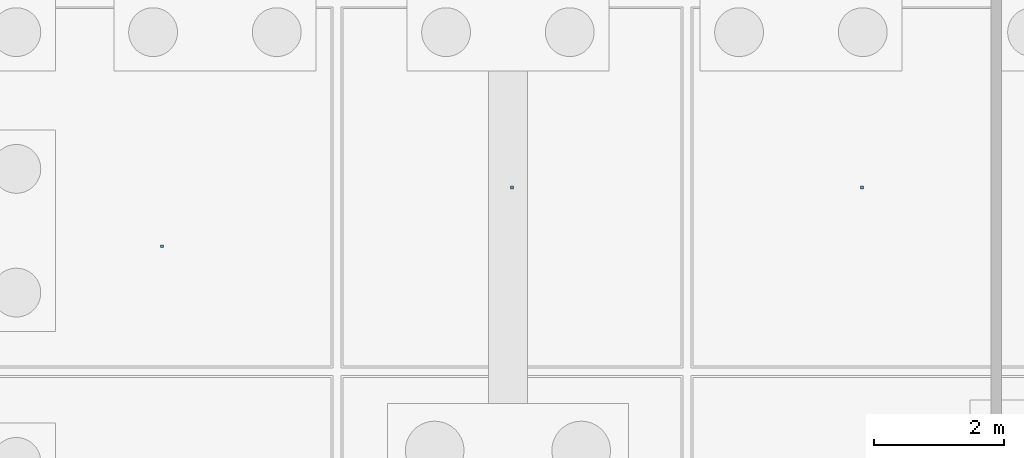
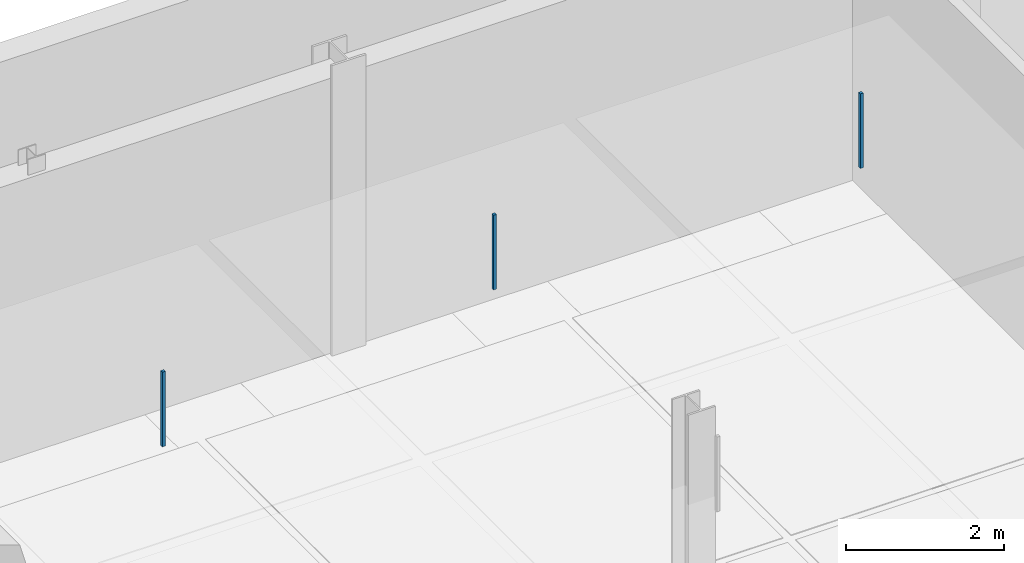
# One storey, part 32 of 48: 3 discrete accessories.
"""IFC4 building model written with IfcOpenShell, lengths in metres."""

import ifcopenshell
import ifcopenshell.guid

model = None  # the IFC model being written
_history = None  # IfcOwnerHistory: only IFC2X3 demands one
_inside = {}  # id of a spatial element -> (the spatial element, [elements in it])
_under = {}  # id of a project, library or spatial element -> (it, [spatial elements below it])
_declared = {}  # id of a project -> (the project, [libraries it declares])
_typed = {}  # id of a type object -> (the type object, [elements of that type])
_made_of = {}  # id of a material, layer set ... -> (it, [elements and type objects made of it])


def new_model(schema):
    """Start an empty IFC model of exactly this schema.

    Asked for "IFC4X3", IfcOpenShell would pick the latest addendum, in which some entities
    have other attributes; the version numbers below select the first issue.
    IFC2X3 requires an IfcOwnerHistory on every rooted entity: one is made here for all.
    """
    global model, _history
    if schema == "IFC4X3":
        model = ifcopenshell.file(schema_version=(4, 3, 0, 0))
    else:
        model = ifcopenshell.file(schema=schema)
    _inside.clear()
    _under.clear()
    _declared.clear()
    _typed.clear()
    _made_of.clear()
    _history = None
    if model.schema == "IFC2X3":
        org = make("IfcOrganization", Name="unknown")
        user = make(
            "IfcPersonAndOrganization",
            ThePerson=make("IfcPerson", FamilyName="unknown"),
            TheOrganization=org,
        )
        app = make(
            "IfcApplication",
            ApplicationDeveloper=org,
            Version="unknown",
            ApplicationFullName="unknown",
            ApplicationIdentifier="unknown",
        )
        _history = make(
            "IfcOwnerHistory",
            OwningUser=user,
            OwningApplication=app,
            ChangeAction="ADDED",
            CreationDate=0,
        )
    return model


def make(cls, **values):
    """One entity of the class cls with the attributes given. An attribute that is None is left unset."""
    return model.create_entity(
        cls, **{name: value for name, value in values.items() if value is not None}
    )


def rooted(cls, **values):
    """An entity with a GlobalId (a new one), such as an element, a storey or a relation."""
    return make(cls, GlobalId=ifcopenshell.guid.new(), OwnerHistory=_history, **values)


def si_unit(unit_type, name, prefix=None):
    """IfcSIUnit, for example si_unit("LENGTHUNIT", "METRE", prefix="MILLI")."""
    return make("IfcSIUnit", UnitType=unit_type, Prefix=prefix, Name=name)


def assignment(units):
    """IfcUnitAssignment: the units of a project."""
    return None if units is None else make("IfcUnitAssignment", Units=units)


def point(xyz):
    """IfcCartesianPoint."""
    return None if xyz is None else make("IfcCartesianPoint", Coordinates=xyz)


def direction(xyz):
    """IfcDirection."""
    return None if xyz is None else make("IfcDirection", DirectionRatios=xyz)


def frame(location, z_axis=None, x_axis=None):
    """IfcAxis2Placement3D, a coordinate frame: its origin and axes. An axis left out is left unset."""
    return make(
        "IfcAxis2Placement3D",
        Location=point(location),
        Axis=direction(z_axis),
        RefDirection=direction(x_axis),
    )


def frame_2d(location, x_axis=None):
    """IfcAxis2Placement2D, a coordinate frame in the plane: its origin and x axis."""
    return make(
        "IfcAxis2Placement2D", Location=point(location), RefDirection=direction(x_axis)
    )


def origin():
    """The frame at (0, 0, 0) with its axes left unset."""
    return frame((0.0, 0.0, 0.0))


def origin_2d():
    """The frame at (0, 0) in the plane with its x axis left unset."""
    return frame_2d((0.0, 0.0))


def place(relative_to, where):
    """IfcLocalPlacement: puts the frame where relative to a parent placement (None: the world)."""
    return make(
        "IfcLocalPlacement", PlacementRelTo=relative_to, RelativePlacement=where
    )


def context(
    kind, dimensions, precision=None, world=None, true_north=None, identifier=None
):
    """IfcGeometricRepresentationContext, for example the 3D "Model" context."""
    return make(
        "IfcGeometricRepresentationContext",
        ContextIdentifier=identifier,
        ContextType=kind,
        CoordinateSpaceDimension=dimensions,
        Precision=precision,
        WorldCoordinateSystem=world,
        TrueNorth=true_north,
    )


def subcontext(parent, identifier, kind, view, scale=None):
    """IfcGeometricRepresentationSubContext, for example "Body" below "Model"."""
    return make(
        "IfcGeometricRepresentationSubContext",
        ContextIdentifier=identifier,
        ContextType=kind,
        ParentContext=parent,
        TargetScale=scale,
        TargetView=view,
    )


def project(units=None, contexts=None):
    """IfcProject with its units and contexts."""
    return rooted(
        "IfcProject",
        Name="project",
        RepresentationContexts=contexts,
        UnitsInContext=assignment(units),
    )


def spatial(cls, under=None, at=None, **own):
    """A site, building, storey or space (cls), placed at a placement, below another one or the project."""
    s = rooted(cls, ObjectPlacement=at, **own)
    if under is not None:
        _under.setdefault(under.id(), (under, []))[1].append(s)
    return s


def profile(cls, at=None, kind="AREA", **sizes):
    """A parametric profile (cls). Its sizes go by their IFC names, for example OverallWidth=200.0."""
    return make(cls, ProfileType=kind, Position=at, **sizes)


def rectangle(**sizes):
    """IfcRectangleProfileDef."""
    return profile("IfcRectangleProfileDef", **sizes)


def extrude(swept, where, along, depth):
    """IfcExtrudedAreaSolid: the profile swept, set in the frame where, extruded along a direction by depth."""
    return make(
        "IfcExtrudedAreaSolid",
        SweptArea=swept,
        Position=where,
        ExtrudedDirection=direction(along),
        Depth=depth,
    )


def shape(context_of_items, identifier, shape_type, items):
    """IfcShapeRepresentation: the items that make up one representation, for example the "Body"."""
    return make(
        "IfcShapeRepresentation",
        ContextOfItems=context_of_items,
        RepresentationIdentifier=identifier,
        RepresentationType=shape_type,
        Items=items,
    )


def material(Name=None, Category=None):
    """IfcMaterial."""
    return make("IfcMaterial", Name=Name, Category=Category)


def made_of(thing, what):
    """Note that an element or type object is made of a material, layer set ...; save() writes the relation."""
    if what is not None:
        _made_of.setdefault(what.id(), (what, []))[1].append(thing)
    return thing


def type_object(cls, material=None, **own):
    """A type object (cls), such as IfcWallType, which elements share."""
    return made_of(rooted(cls, **own), material)


def element(
    cls,
    number,
    at=None,
    inside=None,
    cuts=None,
    type_object=None,
    material=None,
    context=None,
    identifier="Body",
    shape_type=None,
    held_by="IfcProductDefinitionShape",
    body=None,
    shapes=None,
    **own,
):
    """One element of the class cls, such as IfcWall. Its Tag is "e" and its number.

    at: its placement. inside: the storey or other place that contains it. cuts: it is an
    opening in that element (IfcRelVoidsElement). A single representation is given by context,
    identifier, shape_type and body (its items); several are given by shapes. held_by: the class
    of the entity that holds the representations. save() writes the other relations.
    """
    e = rooted(cls, Tag="e%d" % number, ObjectPlacement=at, **own)
    if body is not None:
        shapes = [shape(context, identifier, shape_type, body)]
    if shapes is not None:
        e.Representation = make(held_by, Representations=shapes)
    if inside is not None:
        _inside.setdefault(inside.id(), (inside, []))[1].append(e)
    if cuts is not None:
        rooted(
            "IfcRelVoidsElement", RelatingBuildingElement=cuts, RelatedOpeningElement=e
        )
    if type_object is not None:
        _typed.setdefault(type_object.id(), (type_object, []))[1].append(e)
    return made_of(e, material)


def aggregate(whole, parts):
    """IfcRelAggregates: a whole, such as a stair, and the parts it consists of."""
    return rooted("IfcRelAggregates", RelatingObject=whole, RelatedObjects=parts)


def save(model, path):
    """Write the relations noted so far, then the file.

    IfcRelAggregates (storeys below a building ...), IfcRelContainedInSpatialStructure (elements
    in a storey), IfcRelDefinesByType, IfcRelAssociatesMaterial and IfcRelDeclares: one each for
    every whole, place, type object, material and project.
    """
    for whole, parts in _under.values():
        aggregate(whole, parts)
    for where, things in _inside.values():
        rooted(
            "IfcRelContainedInSpatialStructure",
            RelatedElements=things,
            RelatingStructure=where,
        )
    for kind, things in _typed.values():
        rooted("IfcRelDefinesByType", RelatedObjects=things, RelatingType=kind)
    for what, things in _made_of.values():
        rooted("IfcRelAssociatesMaterial", RelatedObjects=things, RelatingMaterial=what)
    for by, libraries in _declared.values():
        rooted("IfcRelDeclares", RelatingContext=by, RelatedDefinitions=libraries)
    model.write(path)


model = new_model("IFC4")

# Units and contexts
model_context = context("Model", 3, precision=1e-05, world=origin(), true_north=direction((0.0, 1.0)))
body_context = subcontext(model_context, "Body", "Model", "MODEL_VIEW")
ifc_project = project(units=[si_unit("LENGTHUNIT", "METRE"), si_unit("AREAUNIT", "SQUARE_METRE"), si_unit("VOLUMEUNIT", "CUBIC_METRE"), si_unit("PLANEANGLEUNIT", "RADIAN"), si_unit("MASSUNIT", "GRAM", prefix="KILO"), si_unit("THERMODYNAMICTEMPERATUREUNIT", "KELVIN"), si_unit("POWERUNIT", "WATT")], contexts=[model_context])

# Site, building, storey
site_placement = place(None, origin())
site = spatial("IfcSite", under=ifc_project, at=site_placement, CompositionType="ELEMENT")
building_placement = place(site_placement, origin())
building = spatial("IfcBuilding", under=site, at=building_placement, Name="Tallowbark Science Centre", CompositionType="ELEMENT")
storey_placement = place(building_placement, frame((0.0, 0.0, -4.5)))
storey = spatial("IfcBuildingStorey", under=building, at=storey_placement, Name="B1", CompositionType="ELEMENT", Elevation=-4.5)

# Discrete accessories
ifc_material = material(Name="Galvanised Steel Grade C350L0 (350 MPa)", Category="steel")
discrete_accessory_type = type_object("IfcDiscreteAccessoryType", Name="ACC-CLG-HNG", PredefinedType="BRACKET", material=ifc_material)
for number, where, z_axis, x_axis, name in (
    (1, (62.1875, 35.76171875, 3.10595703125), (0.0, 0.0, 1.0), (1.0, 0.0, 0.0), "Ceiling Hanger Bracket B1-4"),
    (2, (67.5625, 36.666748046875, 3.10595703125), (0.0, 0.0, 1.0), (1.0, 0.0, 0.0), "Ceiling Hanger Bracket B1-8"),
    (3, (72.9375, 36.666748046875, 3.10595703125), (0.0, 0.0, 1.0), (1.0, 0.0, 0.0), "Ceiling Hanger Bracket B1-12"),
):
    element("IfcDiscreteAccessory", number, at=place(storey_placement, frame(where, z_axis=z_axis, x_axis=x_axis)), inside=storey, type_object=discrete_accessory_type, Name=name, PredefinedType="BRACKET", context=body_context, shape_type="SweptSolid", body=[
        extrude(rectangle(XDim=0.044921875, YDim=0.044921875, at=origin_2d()), origin(), (0.0, 0.0, 1.0), 1.156982421875),
    ])

save(model, "model.ifc")
